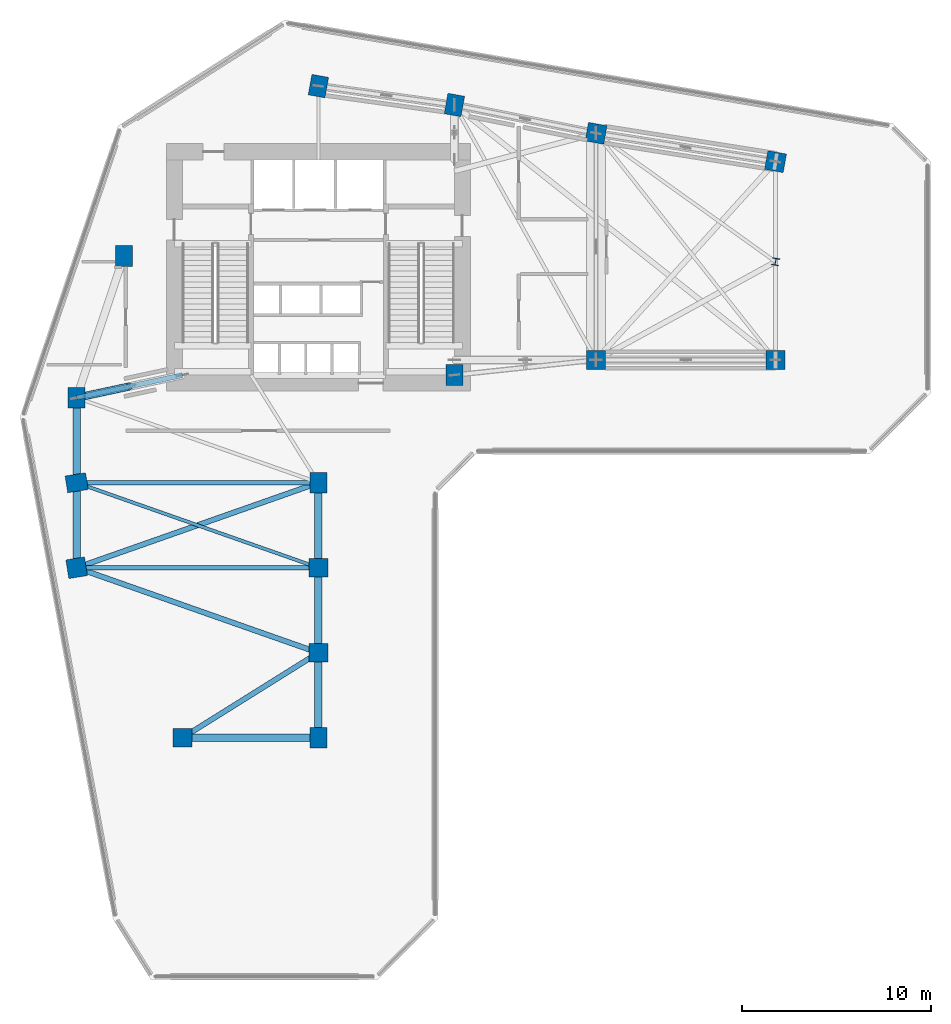
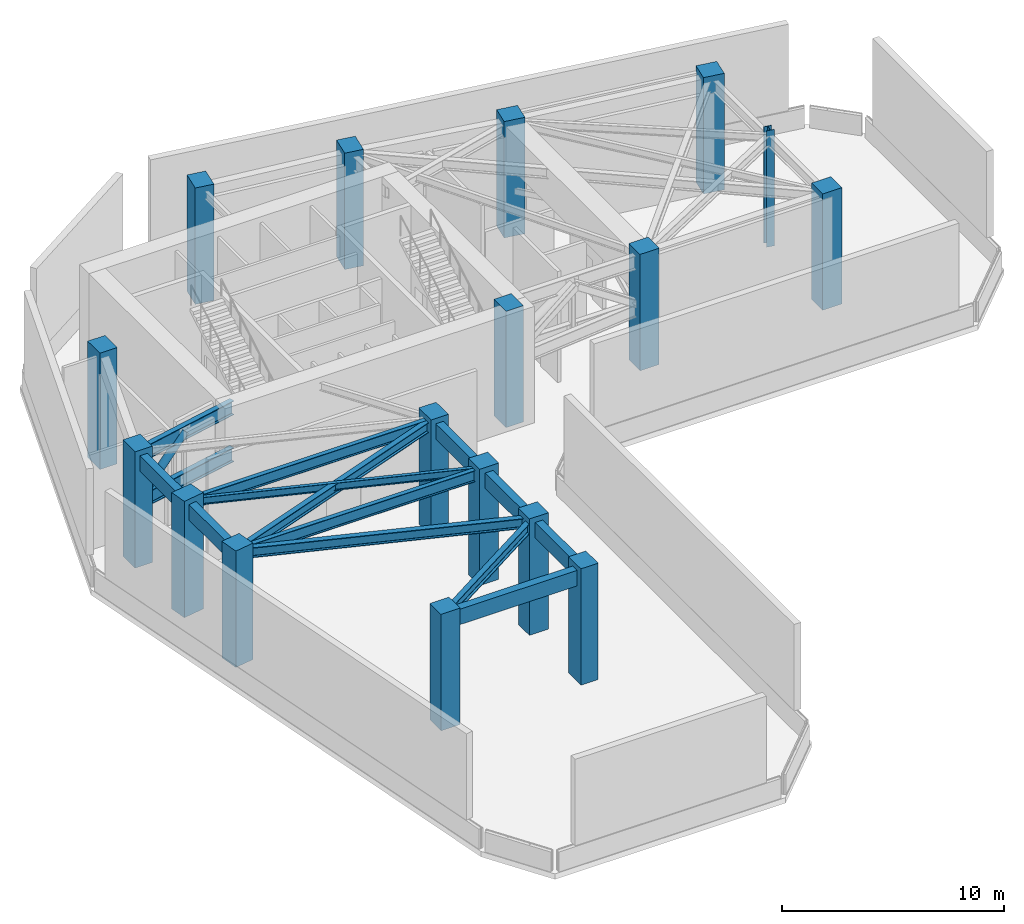
# One storey, part 1 of 10: 17 columns, 14 beams, 1 member.
"""IFC4 building model written with IfcOpenShell, lengths in metres."""

from ifc_helpers import new_model, si_unit, direction, frame, origin, origin_2d, place, context, subcontext, project, spatial, rectangle, hollow_circle, i_section, extrude, source, transform, mapped, material, material_profile, profile_set, type_object, element, save


model = new_model("IFC4")

# Units and contexts
model_context = context("Model", 3, precision=1e-05, world=origin(), true_north=direction((0.0, 1.0)))
body_context = subcontext(model_context, "Body", "Model", "MODEL_VIEW")
ifc_project = project(units=[si_unit("LENGTHUNIT", "METRE"), si_unit("AREAUNIT", "SQUARE_METRE"), si_unit("VOLUMEUNIT", "CUBIC_METRE"), si_unit("PLANEANGLEUNIT", "RADIAN"), si_unit("MASSUNIT", "GRAM", prefix="KILO")], contexts=[model_context])

# Site, building, storey
site_placement = place(None, origin())
site = spatial("IfcSite", under=ifc_project, at=site_placement, CompositionType="ELEMENT")
building_placement = place(site_placement, origin())
building = spatial("IfcBuilding", under=site, at=building_placement, Name="Calvemar Wedge Station Tower", CompositionType="ELEMENT")
storey_placement = place(building_placement, frame((0.0, 0.0, 99.0)))
storey = spatial("IfcBuildingStorey", under=building, at=storey_placement, Name="L24", CompositionType="ELEMENT", Elevation=99.0)

# Columns
ifc_material_1 = material(Name="Concrete C70", Category="concrete")
ifc_material_profile_1 = material_profile(ifc_material_1, rectangle(XDim=0.89990234375, YDim=1.10009765625, at=origin_2d()), Name="RC1100x900")
ifc_profile_set_1 = profile_set([ifc_material_profile_1], Name="Concrete C70")
column_type_1 = type_object("IfcColumnType", Name="COL-C3-1100x900", PredefinedType="COLUMN", material=ifc_profile_set_1)
shared_shape_1 = source(origin(), body_context, "Body", "SweptSolid", [
    extrude(rectangle(XDim=0.89990234375, YDim=1.10009765625, at=origin_2d()), origin(), (0.0, 0.0, 1.0), 6.39990234375),
])
for number, where, z_axis, x_axis, name in (
    (1, (11.0, 33.0, 0.0), (0.0, 0.0, 1.0), (1.0, 0.0, 0.0), "Storey L24 Column T-NW1"),
    (2, (13.5, 40.5, 0.0), (0.0, 0.0, 1.0), (1.0, 0.0, 0.0), "Storey L24 Column T-NW2"),
    (3, (23.800048828125, 49.5, 0.0), (0.0, 0.0, 1.0), (0.984195607969, -0.17708474032, 0.0), "Storey L24 Column T-N1"),
    (4, (31.0, 48.5, 0.0), (0.0, 0.0, 1.0), (0.984195607969, -0.17708474032, 0.0), "Storey L24 Column T-N2"),
    (5, (31.0, 34.199951171875, 0.0), (0.0, 0.0, 1.0), (1.0, 0.0, 0.0), "Storey L24 Column T-NL1"),
    (6, (11.0, 28.5, 0.0), (0.0, 0.0, 1.0), (0.158158067254, -0.987413806751, 0.0), "Storey L24 Column T-SW1"),
    (7, (23.800048828125, 28.5, 0.0), (0.0, 0.0, 1.0), (1.0, 0.0, 0.0), "Storey L24 Column T-SE1"),
    (8, (23.800048828125, 15.0, 0.0), (0.0, 0.0, 1.0), (1.0, 0.0, 0.0), "Storey L24 Column T-SE4"),
):
    element("IfcColumn", number, at=place(storey_placement, frame(where, z_axis=z_axis, x_axis=x_axis)), inside=storey, type_object=column_type_1, Name=name, PredefinedType="COLUMN", context=body_context, shape_type="MappedRepresentation", body=[
        mapped(shared_shape_1, transform((0.0, 0.0, 0.0), scale=1.0)),
    ])
ifc_material_2 = material(Name="Concrete C60", Category="concrete")
ifc_material_profile_2 = material_profile(ifc_material_2, rectangle(XDim=1.0, YDim=1.0, at=origin_2d()), Name="RC1000x1000")
ifc_profile_set_2 = profile_set([ifc_material_profile_2], Name="Concrete C60")
column_type_2 = type_object("IfcColumnType", Name="COL-C4-1000", PredefinedType="COLUMN", material=ifc_profile_set_2)
shared_shape_2 = source(origin(), body_context, "Body", "SweptSolid", [
    extrude(rectangle(XDim=1.0, YDim=1.0, at=origin_2d()), origin(), (0.0, 0.0, 1.0), 6.39990234375),
])
for number, where, z_axis, x_axis, name in (
    (9, (38.5, 47.0, 0.0), (0.0, 0.0, 1.0), (0.984195607969, -0.17708474032, 0.0), "Storey L24 Column T-NU3"),
    (10, (48.0, 45.5, 0.0), (0.0, 0.0, 1.0), (0.984195607969, -0.17708474032, 0.0), "Storey L24 Column T-NU4"),
    (11, (38.5, 35.0, 0.0), (0.0, 0.0, 1.0), (1.0, 0.0, 0.0), "Storey L24 Column T-NL2"),
    (12, (48.0, 35.0, 0.0), (0.0, 0.0, 1.0), (1.0, 0.0, 0.0), "Storey L24 Column T-NL3"),
    (13, (11.0, 24.0, 0.0), (0.0, 0.0, 1.0), (0.158158067254, -0.987413806751, 0.0), "Storey L24 Column T-SW2"),
    (14, (23.800048828125, 24.0, 0.0), (0.0, 0.0, 1.0), (1.0, 0.0, 0.0), "Storey L24 Column T-SE2"),
    (15, (23.800048828125, 19.5, 0.0), (0.0, 0.0, 1.0), (1.0, 0.0, 0.0), "Storey L24 Column T-SE3"),
    (16, (16.60009765625, 15.0, 0.0), (0.0, 0.0, 1.0), (1.0, 0.0, 0.0), "Storey L24 Column T-SM1"),
):
    element("IfcColumn", number, at=place(storey_placement, frame(where, z_axis=z_axis, x_axis=x_axis)), inside=storey, type_object=column_type_2, Name=name, PredefinedType="COLUMN", context=body_context, shape_type="MappedRepresentation", body=[
        mapped(shared_shape_2, transform((0.0, 0.0, 0.0), scale=1.0)),
    ])
ifc_material_3 = material(Name="Structural steel ASTM A572 Grade 50", Category="steel")
ifc_material_profile_3 = material_profile(ifc_material_3, i_section(OverallWidth=0.3740234375, OverallDepth=0.3720703125, WebThickness=0.016357421875, FlangeThickness=0.026123046875, FilletRadius=0.014892578125, at=origin_2d()), Name="W360x196")
ifc_profile_set_3 = profile_set([ifc_material_profile_3], Name="Structural steel ASTM A572 Grade 50")
column_type_3 = type_object("IfcColumnType", Name="COL-STL-W360", PredefinedType="COLUMN", material=ifc_profile_set_3)
shared_shape_3 = source(origin(), body_context, "Body", "SweptSolid", [
    extrude(i_section(OverallWidth=0.3740234375, OverallDepth=0.3720703125, WebThickness=0.016357421875, FlangeThickness=0.026123046875, FilletRadius=0.014892578125, at=origin_2d()), origin(), (0.0, 0.0, 1.0), 6.39990234375),
])
column_placement = place(storey_placement, frame((48.0, 40.199951171875, 0.0), z_axis=(0.0, 0.0, 1.0), x_axis=(0.984195607969, -0.17708474032, 0.0)))
element("IfcColumn", 17, at=column_placement, inside=storey, type_object=column_type_3, Name="Storey L24 Column T-NTIP-A", PredefinedType="COLUMN", context=body_context, shape_type="MappedRepresentation", body=[
    mapped(shared_shape_3, transform((0.0, 0.0, 0.0), scale=1.0)),
])

# Beams
ifc_material_profile_4 = material_profile(ifc_material_2, rectangle(XDim=0.39990234375, YDim=0.85009765625, at=origin_2d()), Name="RC400x850")
ifc_profile_set_4 = profile_set([ifc_material_profile_4], Name="Concrete C60")
beam_type_1 = type_object("IfcBeamType", Name="BM-SP1-850", PredefinedType="SPANDREL", material=ifc_profile_set_4)
shared_shape_4 = source(origin(), body_context, "Body", "SweptSolid", [
    extrude(rectangle(XDim=0.39990234375, YDim=0.85009765625, at=origin_2d()), origin(), (0.0, 0.0, 1.0), 4.5),
])
for number, where, z_axis, x_axis, name in (
    (18, (11.0, 33.0, 5.675048828125), (0.0, -1.0, 0.0), (1.0, 0.0, 0.0), "Storey L24 Spandrel T-NW1-T-SW1"),
    (19, (11.0, 28.5, 5.675048828125), (0.0, -1.0, 0.0), (1.0, 0.0, 0.0), "Storey L24 Spandrel T-SW1-T-SW2"),
    (20, (23.800048828125, 28.5, 5.675048828125), (0.0, -1.0, 0.0), (1.0, 0.0, 0.0), "Storey L24 Spandrel T-SE1-T-SE2"),
    (21, (23.800048828125, 24.0, 5.675048828125), (0.0, -1.0, 0.0), (1.0, 0.0, 0.0), "Storey L24 Spandrel T-SE2-T-SE3"),
    (22, (23.800048828125, 19.5, 5.675048828125), (0.0, -1.0, 0.0), (1.0, 0.0, 0.0), "Storey L24 Spandrel T-SE3-T-SE4"),
):
    element("IfcBeam", number, at=place(storey_placement, frame(where, z_axis=z_axis, x_axis=x_axis)), inside=storey, type_object=beam_type_1, Name=name, PredefinedType="SPANDREL", context=body_context, shape_type="MappedRepresentation", body=[
        mapped(shared_shape_4, transform((0.0, 0.0, 0.0), scale=1.0)),
    ])
shared_shape_5 = source(origin(), body_context, "Body", "SweptSolid", [
    extrude(rectangle(XDim=0.39990234375, YDim=0.85009765625, at=origin_2d()), origin(), (0.0, 0.0, 1.0), 7.199951171875),
])
beam_1_placement = place(storey_placement, frame((16.60009765625, 15.0, 5.675048828125), z_axis=(1.0, 0.0, 0.0), x_axis=(0.0, 1.0, 0.0)))
element("IfcBeam", 23, at=beam_1_placement, inside=storey, type_object=beam_type_1, Name="Storey L24 Spandrel T-SM1-T-SE4", PredefinedType="SPANDREL", context=body_context, shape_type="MappedRepresentation", body=[
    mapped(shared_shape_5, transform((0.0, 0.0, 0.0), scale=1.0)),
])
ifc_material_profile_5 = material_profile(ifc_material_3, i_section(OverallWidth=0.22998046875, OverallDepth=0.616943359375, WebThickness=0.01318359375, FlangeThickness=0.022216796875, FilletRadius=0.012939453125, at=origin_2d()), Name="W610x140")
ifc_profile_set_5 = profile_set([ifc_material_profile_5], Name="Structural steel ASTM A572 Grade 50")
beam_type_2 = type_object("IfcBeamType", Name="BM-SB2-W610", PredefinedType="BEAM", material=ifc_profile_set_5)
shared_shape_6 = source(origin(), body_context, "Body", "SweptSolid", [
    extrude(i_section(OverallWidth=0.22998046875, OverallDepth=0.616943359375, WebThickness=0.01318359375, FlangeThickness=0.022216796875, FilletRadius=0.012939453125, at=origin_2d()), origin(), (0.0, 0.0, 1.0), 12.800048828125),
])
for number, where, z_axis, x_axis, name in (
    (24, (11.0, 28.5, 5.79150390625), (1.0, 0.0, 0.0), (0.0, 1.0, 0.0), "Storey L24 Floor Beam T-SW1-T-SE1"),
    (25, (11.0, 24.0, 5.79150390625), (1.0, 0.0, 0.0), (0.0, 1.0, 0.0), "Storey L24 Floor Beam T-SW2-T-SE2"),
):
    element("IfcBeam", number, at=place(storey_placement, frame(where, z_axis=z_axis, x_axis=x_axis)), inside=storey, type_object=beam_type_2, Name=name, PredefinedType="BEAM", context=body_context, shape_type="MappedRepresentation", body=[
        mapped(shared_shape_6, transform((0.0, 0.0, 0.0), scale=1.0)),
    ])
ifc_material_profile_6 = material_profile(ifc_material_3, i_section(OverallWidth=0.177978515625, OverallDepth=0.406982421875, WebThickness=0.0078125, FlangeThickness=0.0126953125, FilletRadius=0.010009765625, at=origin_2d()), Name="W410x60")
ifc_profile_set_6 = profile_set([ifc_material_profile_6], Name="Structural steel ASTM A572 Grade 50")
beam_type_3 = type_object("IfcBeamType", Name="BM-J3-W410", PredefinedType="JOIST", material=ifc_profile_set_6)
shared_shape_7 = source(origin(), body_context, "Body", "SweptSolid", [
    extrude(i_section(OverallWidth=0.177978515625, OverallDepth=0.406982421875, WebThickness=0.0078125, FlangeThickness=0.0126953125, FilletRadius=0.010009765625, at=origin_2d()), origin(), (0.0, 0.0, 1.0), 13.568115234375),
])
beam_2_placement = place(storey_placement, frame((11.0, 28.5, 5.896484375), z_axis=(0.943398221169, -0.331662171939, 0.0), x_axis=(0.331662171939, 0.943398221169, 0.0)))
element("IfcBeam", 26, at=beam_2_placement, inside=storey, type_object=beam_type_3, Name="Storey L24 Floor Beam T-SW1-T-SE2", PredefinedType="JOIST", context=body_context, shape_type="MappedRepresentation", body=[
    mapped(shared_shape_7, transform((0.0, 0.0, 0.0), scale=1.0)),
])
ifc_material_profile_7 = material_profile(ifc_material_3, i_section(OverallWidth=0.279052734375, OverallDepth=0.553955078125, WebThickness=0.017578125, FlangeThickness=0.029541015625, FilletRadius=0.014892578125, at=origin_2d()), Name="W530x196")
ifc_profile_set_7 = profile_set([ifc_material_profile_7], Name="Structural steel ASTM A572 Grade 50")
beam_type_4 = type_object("IfcBeamType", Name="BM-SB3-W530H", PredefinedType="BEAM", material=ifc_profile_set_7)
shared_shape_8 = source(origin(), body_context, "Body", "SweptSolid", [
    extrude(i_section(OverallWidth=0.279052734375, OverallDepth=0.553955078125, WebThickness=0.017578125, FlangeThickness=0.029541015625, FilletRadius=0.014892578125, at=origin_2d()), origin(), (0.0, 0.0, 1.0), 13.568115234375),
])
for number, where, z_axis, x_axis, name in (
    (27, (23.800048828125, 28.5, 5.822998046875), (-0.943398221169, -0.331662171939, 0.0), (0.331662171939, -0.943398221169, 0.0), "Storey L24 Floor Beam T-SE1-T-SW2"),
    (28, (11.0, 24.0, 5.822998046875), (0.943398221169, -0.331662171939, 0.0), (0.331662171939, 0.943398221169, 0.0), "Storey L24 Floor Beam T-SW2-T-SE3"),
):
    element("IfcBeam", number, at=place(storey_placement, frame(where, z_axis=z_axis, x_axis=x_axis)), inside=storey, type_object=beam_type_4, Name=name, PredefinedType="BEAM", context=body_context, shape_type="MappedRepresentation", body=[
        mapped(shared_shape_8, transform((0.0, 0.0, 0.0), scale=1.0)),
    ])
shared_shape_9 = source(origin(), body_context, "Body", "SweptSolid", [
    extrude(i_section(OverallWidth=0.279052734375, OverallDepth=0.553955078125, WebThickness=0.017578125, FlangeThickness=0.029541015625, FilletRadius=0.014892578125, at=origin_2d()), origin(), (0.0, 0.0, 1.0), 8.490478515625),
])
beam_3_placement = place(storey_placement, frame((23.800048828125, 19.5, 5.822998046875), z_axis=(-0.847996688584, -0.530001524668, 0.0), x_axis=(0.530001524668, -0.847996688584, 0.0)))
element("IfcBeam", 29, at=beam_3_placement, inside=storey, type_object=beam_type_4, Name="Storey L24 Floor Beam T-SE3-T-SM1", PredefinedType="BEAM", context=body_context, shape_type="MappedRepresentation", body=[
    mapped(shared_shape_9, transform((0.0, 0.0, 0.0), scale=1.0)),
])
ifc_material_profile_8 = material_profile(ifc_material_3, i_section(OverallWidth=0.27001953125, OverallDepth=0.77294921875, WebThickness=0.018798828125, FlangeThickness=0.0322265625, FilletRadius=0.01806640625, at=origin_2d()), Name="W760x257")
ifc_profile_set_8 = profile_set([ifc_material_profile_8], Name="Structural steel ASTM A572 Grade 50")
beam_type_5 = type_object("IfcBeamType", Name="BM-OT1-W760", PredefinedType="BEAM", material=ifc_profile_set_8)
shared_shape_10 = source(origin(), body_context, "Body", "SweptSolid", [
    extrude(i_section(OverallWidth=0.27001953125, OverallDepth=0.77294921875, WebThickness=0.018798828125, FlangeThickness=0.0322265625, FilletRadius=0.01806640625, at=origin_2d()), origin(), (0.0, 0.0, 1.0), 5.727294921875),
])
for number, where, z_axis, x_axis, name in (
    (30, (16.60009765625, 34.199951171875, 3.136474609375), (-0.977804909315, -0.209517443948, 0.0), (0.209517443948, -0.977804909315, 0.0), "L24 Outrigger OT-W Bottom Chord"),
    (31, (16.60009765625, 34.199951171875, 5.71337890625), (-0.977804909315, -0.209517443948, 0.0), (0.209517443948, -0.977804909315, 0.0), "L24 Outrigger OT-W Top Chord"),
):
    element("IfcBeam", number, at=place(storey_placement, frame(where, z_axis=z_axis, x_axis=x_axis)), inside=storey, type_object=beam_type_5, Name=name, PredefinedType="BEAM", context=body_context, shape_type="MappedRepresentation", body=[
        mapped(shared_shape_10, transform((0.0, 0.0, 0.0), scale=1.0)),
    ])

# Member
ifc_material_profile_9 = material_profile(ifc_material_3, hollow_circle(Radius=0.203125, WallThickness=0.02001953125, at=origin_2d()), Name="CHS406.4x20")
ifc_profile_set_9 = profile_set([ifc_material_profile_9], Name="Structural steel ASTM A572 Grade 50")
member_type = type_object("IfcMemberType", Name="MEM-D3-CHS406", PredefinedType="BRACE", material=ifc_profile_set_9)
shared_shape_11 = source(origin(), body_context, "Body", "SweptSolid", [
    extrude(hollow_circle(Radius=0.203125, WallThickness=0.02001953125, at=origin_2d()), origin(), (0.0, 0.0, 1.0), 3.852294921875),
])
member_placement = place(storey_placement, frame((13.800048828125, 33.60009765625, 5.71337890625), z_axis=(-0.72683622215, -0.155773252598, -0.668912400801), x_axis=(0.209558200297, -0.977796175431, 0.0)))
element("IfcMember", 32, at=member_placement, inside=storey, type_object=member_type, Name="L24 Outrigger OT-W Diagonal 2", PredefinedType="BRACE", context=body_context, shape_type="MappedRepresentation", body=[
    mapped(shared_shape_11, transform((0.0, 0.0, 0.0), scale=1.0)),
])

save(model, "model.ifc")
